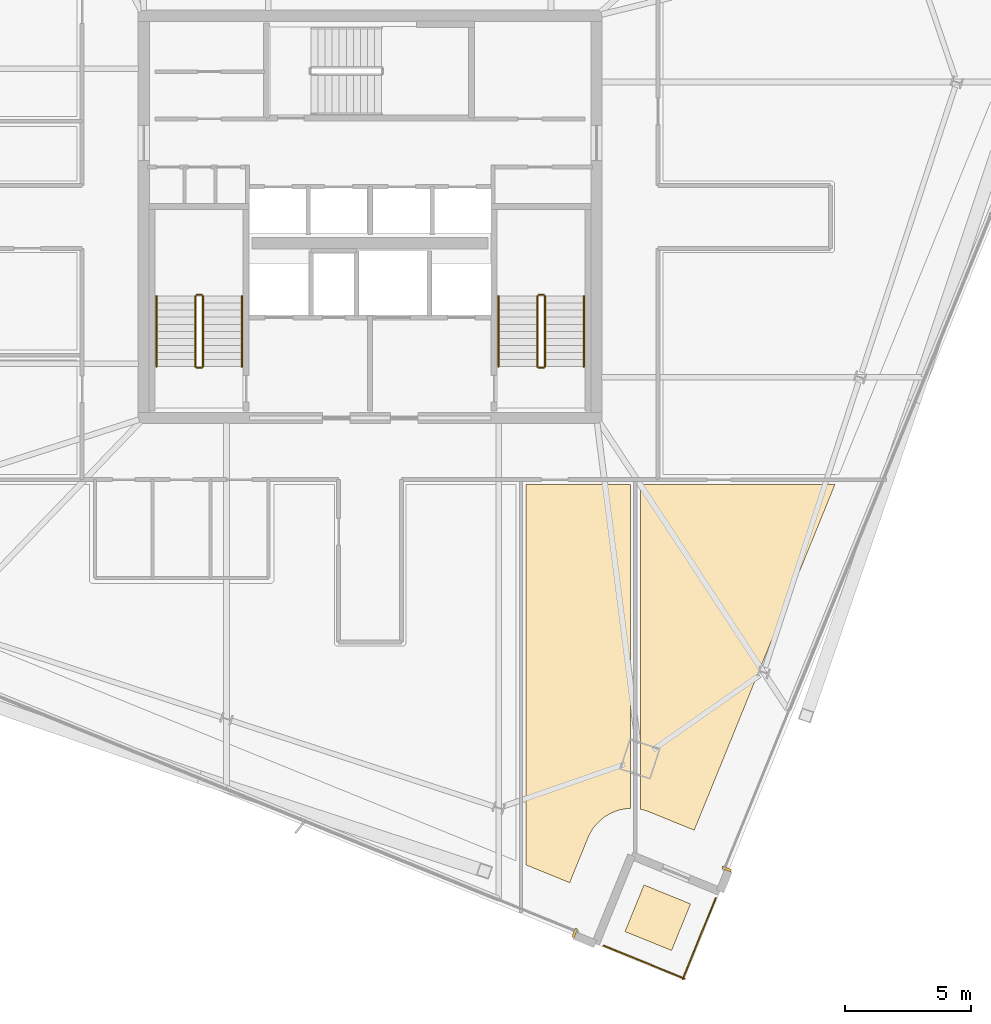
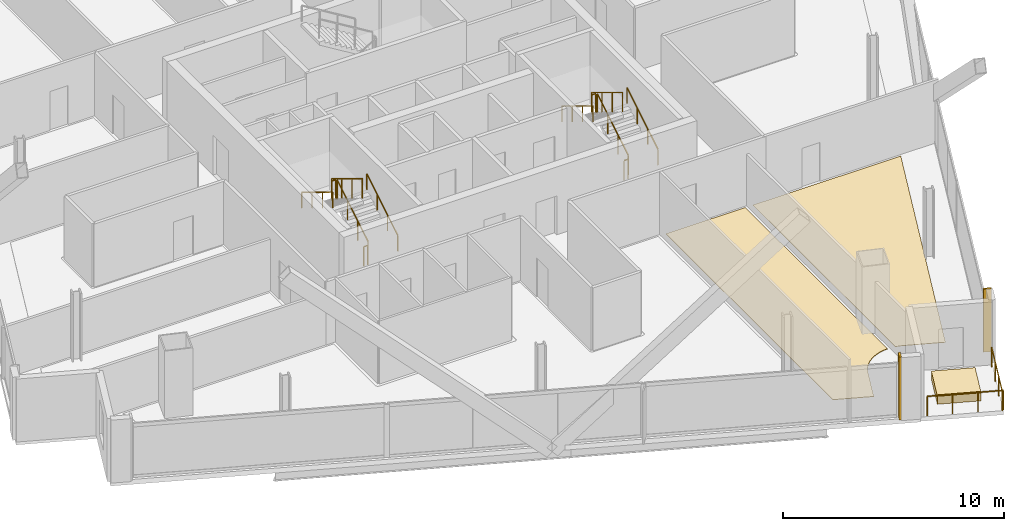
# One storey, part 28 of 31: 14 railings, 5 coverings.
"""IFC4 building model written with IfcOpenShell, lengths in metres."""

from ifc_helpers import new_model, si_unit, direction, frame, origin, origin_2d, place, context, subcontext, project, spatial, polyline, rectangle, outline, extrude, source, transform, mapped, material, layer, layer_set, type_object, element, save


model = new_model("IFC4")

# Units and contexts
model_context = context("Model", 3, precision=1e-05, world=origin(), true_north=direction((0.0, 1.0)))
body_context = subcontext(model_context, "Body", "Model", "MODEL_VIEW")
ifc_project = project(units=[si_unit("LENGTHUNIT", "METRE"), si_unit("AREAUNIT", "SQUARE_METRE"), si_unit("VOLUMEUNIT", "CUBIC_METRE"), si_unit("PLANEANGLEUNIT", "RADIAN"), si_unit("MASSUNIT", "GRAM", prefix="KILO")], contexts=[model_context])

# Site, building, storey
site_placement = place(None, origin())
site = spatial("IfcSite", under=ifc_project, at=site_placement, CompositionType="ELEMENT")
building_placement = place(site_placement, origin())
building = spatial("IfcBuilding", under=site, at=building_placement, Name="Haldenkirk Collegiate Tower", CompositionType="ELEMENT")
storey_placement = place(building_placement, frame((0.0, 0.0, 256.199951171875)))
storey = spatial("IfcBuildingStorey", under=building, at=storey_placement, Name="L64", CompositionType="ELEMENT", Elevation=256.199951171875)

# Coverings
ifc_material_1 = material(Name="Polished collegiate terrazzo", Category="concrete")
ifc_layer_1 = layer(ifc_material_1, 0.02490234375)
ifc_layer_set_1 = layer_set([ifc_layer_1], Name="Polished collegiate terrazzo")
covering_type_1 = type_object("IfcCoveringType", Name="COV-FLOOR-TERRAZZO", PredefinedType="FLOORING", material=ifc_layer_set_1)
covering_1_placement = place(storey_placement, origin())
element("IfcCovering", 1, at=covering_1_placement, inside=storey, type_object=covering_type_1, Name="L64 academic room finish 02", PredefinedType="FLOORING", context=body_context, shape_type="SweptSolid", body=[
    extrude(outline(polyline([(46.35009765625, 2.475830078125), (46.204345703125, 2.4677734375), (46.192626953125, 2.466552734375), (46.02294921875, 2.4404296875), (46.011474609375, 2.43798828125), (45.84521484375, 2.395263671875), (45.833984375, 2.391845703125), (45.672607421875, 2.3330078125), (45.66162109375, 2.328369140625), (45.5068359375, 2.25390625), (45.49658203125, 2.248291015625), (45.349853515625, 2.1591796875), (45.340087890625, 2.152587890625), (45.20263671875, 2.049560546875), (45.193603515625, 2.0419921875), (45.067138671875, 1.92578125), (45.058837890625, 1.91748046875), (44.9443359375, 1.789306640625), (44.93701171875, 1.7802734375), (44.83544921875, 1.6416015625), (44.828857421875, 1.6318359375), (44.741455078125, 1.484130859375), (44.736083984375, 1.4736328125), (44.66357421875, 1.318115234375), (44.6611328125, 1.3125), (43.93359375, -0.47509765625), (42.199951171875, 0.230712890625), (42.199951171875, 15.35009765625), (46.35009765625, 15.35009765625), (46.35009765625, 2.475830078125)])), origin(), (0.0, 0.0, 1.0), 0.025146484375),
])
ifc_material_2 = material(Name="Engineered collegiate oak acoustic flooring", Category="wood")
ifc_layer_2 = layer(ifc_material_2, 0.02197265625)
ifc_layer_set_2 = layer_set([ifc_layer_2], Name="Engineered collegiate oak acoustic flooring")
covering_type_2 = type_object("IfcCoveringType", Name="COV-FLOOR-TIMBER", PredefinedType="FLOORING", material=ifc_layer_set_2)
covering_2_placement = place(storey_placement, origin())
element("IfcCovering", 2, at=covering_2_placement, inside=storey, type_object=covering_type_2, Name="L64 academic room finish 03", PredefinedType="FLOORING", context=body_context, shape_type="SweptSolid", body=[
    extrude(outline(polyline([(46.75, 2.443115234375), (46.75, 15.35009765625), (54.478271484375, 15.35009765625), (48.885986328125, 1.61181640625), (47.09814453125, 2.33935546875), (47.0927734375, 2.341552734375), (46.930908203125, 2.3984375), (46.91943359375, 2.40185546875), (46.75244140625, 2.4423828125), (46.75, 2.443115234375)])), origin(), (0.0, 0.0, 1.0), 0.02197265625),
])
ifc_material_3 = material(Name="Precast concrete f'c 40 MPa", Category="concrete")
ifc_layer_3 = layer(ifc_material_3, 0.449951171875)
ifc_layer_set_3 = layer_set([ifc_layer_3], Name="Precast concrete f'c 40 MPa")
covering_type_3 = type_object("IfcCoveringType", Name="COV-PLANTER-450", PredefinedType="USERDEFINED", material=ifc_layer_set_3)
covering_3_placement = place(storey_placement, origin())
element("IfcCovering", 3, at=covering_3_placement, inside=storey, type_object=covering_type_3, Name="L64 planted garden planter bed", ObjectType="PLANTER", PredefinedType="USERDEFINED", context=body_context, shape_type="SweptSolid", body=[
    extrude(outline(polyline([(47.98583984375, -3.171875), (46.13330078125, -2.417724609375), (46.887451171875, -0.5654296875), (48.739990234375, -1.319580078125), (47.98583984375, -3.171875)])), origin(), (0.0, 0.0, 1.0), 0.449951171875),
])

# Railings
ifc_material_4 = material(Name="Painted architectural tubular steel", Category="steel")
railing_type_1 = type_object("IfcRailingType", Name="RLG-STAIR-GUARD-1100", PredefinedType="BALUSTRADE", material=ifc_material_4)
railing_1_placement = place(storey_placement, frame((29.35009765625, 20.050048828125, 0.17041015625)))
element("IfcRailing", 4, at=railing_1_placement, inside=storey, type_object=railing_type_1, Name="L64 ST-1 stair guard 1", PredefinedType="BALUSTRADE", context=body_context, shape_type="SweptSolid", body=[
    extrude(rectangle(XDim=0.048095703125, YDim=0.048095703125, at=origin_2d()), frame((0.0, 0.0, 1.076171875), z_axis=(0.0, 0.854169791009, 0.51999420009), x_axis=(-1.0, 0.0, 0.0)), (0.0, 0.0, 1.0), 3.278076171875),
    extrude(rectangle(XDim=0.0419921875, YDim=0.0419921875, at=origin_2d()), origin(), (0.0, 0.0, 1.0), 1.052001953125),
    extrude(rectangle(XDim=0.0419921875, YDim=0.0419921875, at=origin_2d()), frame((0.0, 0.933349609375, 0.568115234375)), (0.0, 0.0, 1.0), 1.052001953125),
    extrude(rectangle(XDim=0.0419921875, YDim=0.0419921875, at=origin_2d()), frame((0.0, 1.86669921875, 1.136474609375)), (0.0, 0.0, 1.0), 1.052001953125),
    extrude(rectangle(XDim=0.0419921875, YDim=0.0419921875, at=origin_2d()), frame((0.0, 2.800048828125, 1.70458984375)), (0.0, 0.0, 1.0), 1.052001953125),
])
railing_2_placement = place(storey_placement, frame((29.300048828125, 22.89990234375, 1.875)))
element("IfcRailing", 5, at=railing_2_placement, inside=storey, type_object=railing_type_1, Name="L64 ST-1 stair guard 2", PredefinedType="BALUSTRADE", context=body_context, shape_type="SweptSolid", body=[
    extrude(rectangle(XDim=0.048095703125, YDim=0.048095703125, at=origin_2d()), frame((0.0, 0.0, 1.076171875), z_axis=(-1.0, 0.0, 0.0), x_axis=(0.0, -1.0, 0.0)), (0.0, 0.0, 1.0), 0.199951171875),
    extrude(rectangle(XDim=0.0419921875, YDim=0.0419921875, at=origin_2d()), origin(), (0.0, 0.0, 1.0), 1.052001953125),
    extrude(rectangle(XDim=0.0419921875, YDim=0.0419921875, at=origin_2d()), frame((-0.199951171875, 0.0, 0.0)), (0.0, 0.0, 1.0), 1.052001953125),
])
railing_3_placement = place(storey_placement, frame((29.050048828125, 22.85009765625, 2.04541015625)))
element("IfcRailing", 6, at=railing_3_placement, inside=storey, type_object=railing_type_1, Name="L64 ST-1 stair guard 3", PredefinedType="BALUSTRADE", context=body_context, shape_type="SweptSolid", body=[
    extrude(rectangle(XDim=0.048095703125, YDim=0.048095703125, at=origin_2d()), frame((0.0, 0.0, 1.076171875), z_axis=(0.0, -0.854169791009, 0.51999420009), x_axis=(1.0, 0.0, 0.0)), (0.0, 0.0, 1.0), 3.278076171875),
    extrude(rectangle(XDim=0.0419921875, YDim=0.0419921875, at=origin_2d()), origin(), (0.0, 0.0, 1.0), 1.052001953125),
    extrude(rectangle(XDim=0.0419921875, YDim=0.0419921875, at=origin_2d()), frame((0.0, -0.933349609375, 0.568115234375)), (0.0, 0.0, 1.0), 1.052001953125),
    extrude(rectangle(XDim=0.0419921875, YDim=0.0419921875, at=origin_2d()), frame((0.0, -1.86669921875, 1.136474609375)), (0.0, 0.0, 1.0), 1.052001953125),
    extrude(rectangle(XDim=0.0419921875, YDim=0.0419921875, at=origin_2d()), frame((0.0, -2.800048828125, 1.70458984375)), (0.0, 0.0, 1.0), 1.052001953125),
])
railing_4_placement = place(storey_placement, frame((29.300048828125, 20.0, 0.0)))
element("IfcRailing", 7, at=railing_4_placement, inside=storey, type_object=railing_type_1, Name="L64 ST-1 stair guard 4", PredefinedType="BALUSTRADE", context=body_context, shape_type="SweptSolid", body=[
    extrude(rectangle(XDim=0.048095703125, YDim=0.048095703125, at=origin_2d()), frame((0.0, 0.0, 1.076171875), z_axis=(-1.0, 0.0, 0.0), x_axis=(0.0, -1.0, 0.0)), (0.0, 0.0, 1.0), 0.199951171875),
    extrude(rectangle(XDim=0.0419921875, YDim=0.0419921875, at=origin_2d()), origin(), (0.0, 0.0, 1.0), 1.052001953125),
    extrude(rectangle(XDim=0.0419921875, YDim=0.0419921875, at=origin_2d()), frame((-0.199951171875, 0.0, 0.0)), (0.0, 0.0, 1.0), 1.052001953125),
])
railing_5_placement = place(storey_placement, frame((42.949951171875, 20.050048828125, 0.17041015625)))
element("IfcRailing", 8, at=railing_5_placement, inside=storey, type_object=railing_type_1, Name="L64 ST-2 stair guard 1", PredefinedType="BALUSTRADE", context=body_context, shape_type="SweptSolid", body=[
    extrude(rectangle(XDim=0.048095703125, YDim=0.048095703125, at=origin_2d()), frame((0.0, 0.0, 1.076171875), z_axis=(0.0, 0.854169791009, 0.51999420009), x_axis=(-1.0, 0.0, 0.0)), (0.0, 0.0, 1.0), 3.278076171875),
    extrude(rectangle(XDim=0.0419921875, YDim=0.0419921875, at=origin_2d()), origin(), (0.0, 0.0, 1.0), 1.052001953125),
    extrude(rectangle(XDim=0.0419921875, YDim=0.0419921875, at=origin_2d()), frame((0.0, 0.933349609375, 0.568115234375)), (0.0, 0.0, 1.0), 1.052001953125),
    extrude(rectangle(XDim=0.0419921875, YDim=0.0419921875, at=origin_2d()), frame((0.0, 1.86669921875, 1.136474609375)), (0.0, 0.0, 1.0), 1.052001953125),
    extrude(rectangle(XDim=0.0419921875, YDim=0.0419921875, at=origin_2d()), frame((0.0, 2.800048828125, 1.70458984375)), (0.0, 0.0, 1.0), 1.052001953125),
])
railing_6_placement = place(storey_placement, frame((42.89990234375, 22.89990234375, 1.875)))
element("IfcRailing", 9, at=railing_6_placement, inside=storey, type_object=railing_type_1, Name="L64 ST-2 stair guard 2", PredefinedType="BALUSTRADE", context=body_context, shape_type="SweptSolid", body=[
    extrude(rectangle(XDim=0.048095703125, YDim=0.048095703125, at=origin_2d()), frame((0.0, 0.0, 1.076171875), z_axis=(-1.0, 0.0, 0.0), x_axis=(0.0, -1.0, 0.0)), (0.0, 0.0, 1.0), 0.199951171875),
    extrude(rectangle(XDim=0.0419921875, YDim=0.0419921875, at=origin_2d()), origin(), (0.0, 0.0, 1.0), 1.052001953125),
    extrude(rectangle(XDim=0.0419921875, YDim=0.0419921875, at=origin_2d()), frame((-0.199951171875, 0.0, 0.0)), (0.0, 0.0, 1.0), 1.052001953125),
])
railing_7_placement = place(storey_placement, frame((42.64990234375, 22.85009765625, 2.04541015625)))
element("IfcRailing", 10, at=railing_7_placement, inside=storey, type_object=railing_type_1, Name="L64 ST-2 stair guard 3", PredefinedType="BALUSTRADE", context=body_context, shape_type="SweptSolid", body=[
    extrude(rectangle(XDim=0.048095703125, YDim=0.048095703125, at=origin_2d()), frame((0.0, 0.0, 1.076171875), z_axis=(0.0, -0.854169791009, 0.51999420009), x_axis=(1.0, 0.0, 0.0)), (0.0, 0.0, 1.0), 3.278076171875),
    extrude(rectangle(XDim=0.0419921875, YDim=0.0419921875, at=origin_2d()), origin(), (0.0, 0.0, 1.0), 1.052001953125),
    extrude(rectangle(XDim=0.0419921875, YDim=0.0419921875, at=origin_2d()), frame((0.0, -0.933349609375, 0.568115234375)), (0.0, 0.0, 1.0), 1.052001953125),
    extrude(rectangle(XDim=0.0419921875, YDim=0.0419921875, at=origin_2d()), frame((0.0, -1.86669921875, 1.136474609375)), (0.0, 0.0, 1.0), 1.052001953125),
    extrude(rectangle(XDim=0.0419921875, YDim=0.0419921875, at=origin_2d()), frame((0.0, -2.800048828125, 1.70458984375)), (0.0, 0.0, 1.0), 1.052001953125),
])
railing_8_placement = place(storey_placement, frame((42.89990234375, 20.0, 0.0)))
element("IfcRailing", 11, at=railing_8_placement, inside=storey, type_object=railing_type_1, Name="L64 ST-2 stair guard 4", PredefinedType="BALUSTRADE", context=body_context, shape_type="SweptSolid", body=[
    extrude(rectangle(XDim=0.048095703125, YDim=0.048095703125, at=origin_2d()), frame((0.0, 0.0, 1.076171875), z_axis=(-1.0, 0.0, 0.0), x_axis=(0.0, -1.0, 0.0)), (0.0, 0.0, 1.0), 0.199951171875),
    extrude(rectangle(XDim=0.0419921875, YDim=0.0419921875, at=origin_2d()), origin(), (0.0, 0.0, 1.0), 1.052001953125),
    extrude(rectangle(XDim=0.0419921875, YDim=0.0419921875, at=origin_2d()), frame((-0.199951171875, 0.0, 0.0)), (0.0, 0.0, 1.0), 1.052001953125),
])
railing_type_2 = type_object("IfcRailingType", Name="RLG-STAIR-HANDRAIL-900", PredefinedType="HANDRAIL", material=ifc_material_4)
railing_9_placement = place(storey_placement, frame((30.89990234375, 20.050048828125, 0.17041015625)))
element("IfcRailing", 12, at=railing_9_placement, inside=storey, type_object=railing_type_2, Name="L64 ST-1 stair handrail 1", PredefinedType="HANDRAIL", context=body_context, shape_type="SweptSolid", body=[
    extrude(rectangle(XDim=0.048095703125, YDim=0.048095703125, at=origin_2d()), frame((0.0, 0.0, 0.8759765625), z_axis=(0.0, 0.854169791009, 0.51999420009), x_axis=(-1.0, 0.0, 0.0)), (0.0, 0.0, 1.0), 3.278076171875),
    extrude(rectangle(XDim=0.0419921875, YDim=0.0419921875, at=origin_2d()), origin(), (0.0, 0.0, 1.0), 0.851806640625),
    extrude(rectangle(XDim=0.0419921875, YDim=0.0419921875, at=origin_2d()), frame((0.0, 0.933349609375, 0.568115234375)), (0.0, 0.0, 1.0), 0.851806640625),
    extrude(rectangle(XDim=0.0419921875, YDim=0.0419921875, at=origin_2d()), frame((0.0, 1.86669921875, 1.136474609375)), (0.0, 0.0, 1.0), 0.851806640625),
    extrude(rectangle(XDim=0.0419921875, YDim=0.0419921875, at=origin_2d()), frame((0.0, 2.800048828125, 1.70458984375)), (0.0, 0.0, 1.0), 0.851806640625),
])
railing_10_placement = place(storey_placement, frame((27.5, 22.85009765625, 2.04541015625)))
element("IfcRailing", 13, at=railing_10_placement, inside=storey, type_object=railing_type_2, Name="L64 ST-1 stair handrail 2", PredefinedType="HANDRAIL", context=body_context, shape_type="SweptSolid", body=[
    extrude(rectangle(XDim=0.048095703125, YDim=0.048095703125, at=origin_2d()), frame((0.0, 0.0, 0.8759765625), z_axis=(0.0, -0.854169791009, 0.51999420009), x_axis=(1.0, 0.0, 0.0)), (0.0, 0.0, 1.0), 3.278076171875),
    extrude(rectangle(XDim=0.0419921875, YDim=0.0419921875, at=origin_2d()), origin(), (0.0, 0.0, 1.0), 0.851806640625),
    extrude(rectangle(XDim=0.0419921875, YDim=0.0419921875, at=origin_2d()), frame((0.0, -0.933349609375, 0.568115234375)), (0.0, 0.0, 1.0), 0.851806640625),
    extrude(rectangle(XDim=0.0419921875, YDim=0.0419921875, at=origin_2d()), frame((0.0, -1.86669921875, 1.136474609375)), (0.0, 0.0, 1.0), 0.851806640625),
    extrude(rectangle(XDim=0.0419921875, YDim=0.0419921875, at=origin_2d()), frame((0.0, -2.800048828125, 1.70458984375)), (0.0, 0.0, 1.0), 0.851806640625),
])
railing_11_placement = place(storey_placement, frame((44.5, 20.050048828125, 0.17041015625)))
element("IfcRailing", 14, at=railing_11_placement, inside=storey, type_object=railing_type_2, Name="L64 ST-2 stair handrail 1", PredefinedType="HANDRAIL", context=body_context, shape_type="SweptSolid", body=[
    extrude(rectangle(XDim=0.048095703125, YDim=0.048095703125, at=origin_2d()), frame((0.0, 0.0, 0.8759765625), z_axis=(0.0, 0.854169791009, 0.51999420009), x_axis=(-1.0, 0.0, 0.0)), (0.0, 0.0, 1.0), 3.278076171875),
    extrude(rectangle(XDim=0.0419921875, YDim=0.0419921875, at=origin_2d()), origin(), (0.0, 0.0, 1.0), 0.851806640625),
    extrude(rectangle(XDim=0.0419921875, YDim=0.0419921875, at=origin_2d()), frame((0.0, 0.933349609375, 0.568115234375)), (0.0, 0.0, 1.0), 0.851806640625),
    extrude(rectangle(XDim=0.0419921875, YDim=0.0419921875, at=origin_2d()), frame((0.0, 1.86669921875, 1.136474609375)), (0.0, 0.0, 1.0), 0.851806640625),
    extrude(rectangle(XDim=0.0419921875, YDim=0.0419921875, at=origin_2d()), frame((0.0, 2.800048828125, 1.70458984375)), (0.0, 0.0, 1.0), 0.851806640625),
])
railing_12_placement = place(storey_placement, frame((41.10009765625, 22.85009765625, 2.04541015625)))
element("IfcRailing", 15, at=railing_12_placement, inside=storey, type_object=railing_type_2, Name="L64 ST-2 stair handrail 2", PredefinedType="HANDRAIL", context=body_context, shape_type="SweptSolid", body=[
    extrude(rectangle(XDim=0.048095703125, YDim=0.048095703125, at=origin_2d()), frame((0.0, 0.0, 0.8759765625), z_axis=(0.0, -0.854169791009, 0.51999420009), x_axis=(1.0, 0.0, 0.0)), (0.0, 0.0, 1.0), 3.278076171875),
    extrude(rectangle(XDim=0.0419921875, YDim=0.0419921875, at=origin_2d()), origin(), (0.0, 0.0, 1.0), 0.851806640625),
    extrude(rectangle(XDim=0.0419921875, YDim=0.0419921875, at=origin_2d()), frame((0.0, -0.933349609375, 0.568115234375)), (0.0, 0.0, 1.0), 0.851806640625),
    extrude(rectangle(XDim=0.0419921875, YDim=0.0419921875, at=origin_2d()), frame((0.0, -1.86669921875, 1.136474609375)), (0.0, 0.0, 1.0), 0.851806640625),
    extrude(rectangle(XDim=0.0419921875, YDim=0.0419921875, at=origin_2d()), frame((0.0, -2.800048828125, 1.70458984375)), (0.0, 0.0, 1.0), 0.851806640625),
])
ifc_material_5 = material(Name="Anodised architectural bronze aluminium", Category="aluminium")
railing_type_3 = type_object("IfcRailingType", Name="RLG-TERR-BALUSTRADE-1100", PredefinedType="BALUSTRADE", material=ifc_material_5)
railing_13_placement = place(storey_placement, frame((48.42431640625, -4.322265625, 0.0)))
element("IfcRailing", 16, at=railing_13_placement, inside=storey, type_object=railing_type_3, Name="L64 terrace guard balustrade 1-1", PredefinedType="BALUSTRADE", context=body_context, shape_type="SweptSolid", body=[
    extrude(rectangle(XDim=0.048095703125, YDim=0.048095703125, at=origin_2d()), frame((0.0, 0.0, 1.076171875), z_axis=(0.37708071848, 0.92618039914, 0.0), x_axis=(-0.92618039914, 0.37708071848, 0.0)), (0.0, 0.0, 1.0), 3.47998046875),
    extrude(rectangle(XDim=0.0419921875, YDim=0.0419921875, at=origin_2d()), origin(), (0.0, 0.0, 1.0), 1.052001953125),
    extrude(rectangle(XDim=0.0419921875, YDim=0.0419921875, at=origin_2d()), frame((0.4375, 1.074462890625, 0.0)), (0.0, 0.0, 1.0), 1.052001953125),
    extrude(rectangle(XDim=0.0419921875, YDim=0.0419921875, at=origin_2d()), frame((0.874755859375, 2.148681640625, 0.0)), (0.0, 0.0, 1.0), 1.052001953125),
    extrude(rectangle(XDim=0.0419921875, YDim=0.0419921875, at=origin_2d()), frame((1.312255859375, 3.22314453125, 0.0)), (0.0, 0.0, 1.0), 1.052001953125),
])
railing_14_placement = place(storey_placement, frame((45.279541015625, -2.977294921875, 0.0)))
element("IfcRailing", 17, at=railing_14_placement, inside=storey, type_object=railing_type_3, Name="L64 terrace guard balustrade 4-1", PredefinedType="BALUSTRADE", context=body_context, shape_type="SweptSolid", body=[
    extrude(rectangle(XDim=0.048095703125, YDim=0.048095703125, at=origin_2d()), frame((0.0, 0.0, 1.076171875), z_axis=(0.926204898943, -0.377020536807, 0.0), x_axis=(0.377020536807, 0.926204898943, 0.0)), (0.0, 0.0, 1.0), 3.47998046875),
    extrude(rectangle(XDim=0.0419921875, YDim=0.0419921875, at=origin_2d()), origin(), (0.0, 0.0, 1.0), 1.052001953125),
    extrude(rectangle(XDim=0.0419921875, YDim=0.0419921875, at=origin_2d()), frame((1.074462890625, -0.437255859375, 0.0)), (0.0, 0.0, 1.0), 1.052001953125),
    extrude(rectangle(XDim=0.0419921875, YDim=0.0419921875, at=origin_2d()), frame((2.148681640625, -0.874755859375, 0.0)), (0.0, 0.0, 1.0), 1.052001953125),
    extrude(rectangle(XDim=0.0419921875, YDim=0.0419921875, at=origin_2d()), frame((3.22314453125, -1.31201171875, 0.0)), (0.0, 0.0, 1.0), 1.052001953125),
])

# Coverings
ifc_layer_4 = layer(ifc_material_5, 0.06005859375)
ifc_layer_set_4 = layer_set([ifc_layer_4], Name="Anodised architectural bronze aluminium")
covering_type_4 = type_object("IfcCoveringType", Name="COV-CLAD-BRONZE-60", PredefinedType="CLADDING", material=ifc_layer_set_4)
shared_shape = source(origin(), body_context, "Body", "SweptSolid", [
    extrude(rectangle(XDim=0.10009765625, YDim=0.3798828125, at=origin_2d()), origin(), (0.0, 0.0, 1.0), 3.47998046875),
])
for number, where, z_axis, x_axis, name in (
    (18, (50.18017578125, 0.070068359375, 0.0), (0.0, 0.0, 1.0), (-0.377032668542, -0.926199960512, 0.0), "L64 recessed curtain-wall bronze jamb closure SJR"),
    (19, (44.133056640625, -2.47802734375, 0.0), (0.0, 0.0, 1.0), (-0.926199960512, 0.377032668542, 0.0), "L64 recessed curtain-wall bronze jamb closure WJL"),
):
    element("IfcCovering", number, at=place(storey_placement, frame(where, z_axis=z_axis, x_axis=x_axis)), inside=storey, type_object=covering_type_4, Name=name, PredefinedType="CLADDING", context=body_context, shape_type="MappedRepresentation", body=[
        mapped(shared_shape, transform((0.0, 0.0, 0.0), x_axis=(1.0, 0.0, 0.0), y_axis=(0.0, 1.0, 0.0), z_axis=(0.0, 0.0, 1.0), scale=1.0)),
    ])

save(model, "model.ifc")
